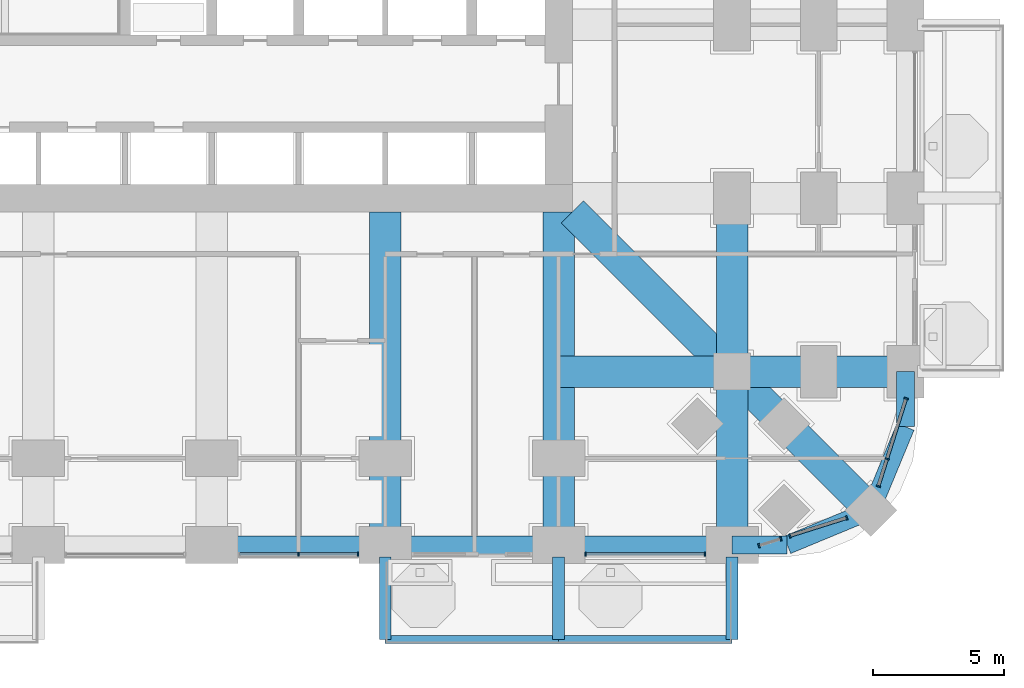
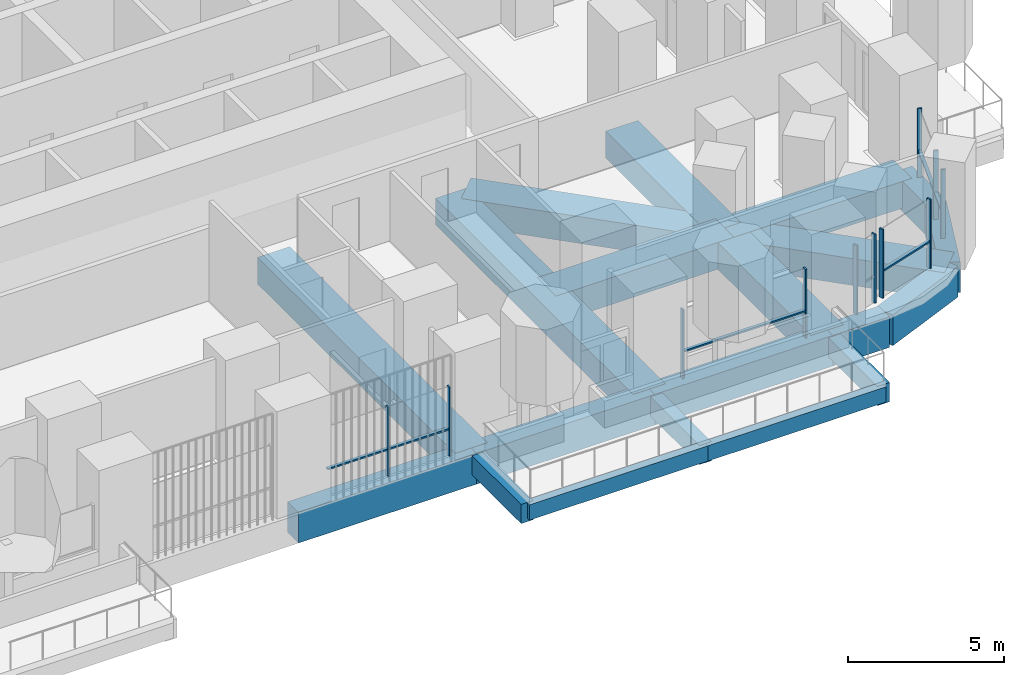
# One storey, part 5 of 25: 20 beams, 17 members, 5 elements without a shape of their own.
"""IFC4 building model written with IfcOpenShell, lengths in metres."""

import ifcopenshell
import ifcopenshell.guid

model = None  # the IFC model being written
_history = None  # IfcOwnerHistory: only IFC2X3 demands one
_inside = {}  # id of a spatial element -> (the spatial element, [elements in it])
_under = {}  # id of a project, library or spatial element -> (it, [spatial elements below it])
_declared = {}  # id of a project -> (the project, [libraries it declares])
_typed = {}  # id of a type object -> (the type object, [elements of that type])
_made_of = {}  # id of a material, layer set ... -> (it, [elements and type objects made of it])


def new_model(schema):
    """Start an empty IFC model of exactly this schema.

    Asked for "IFC4X3", IfcOpenShell would pick the latest addendum, in which some entities
    have other attributes; the version numbers below select the first issue.
    IFC2X3 requires an IfcOwnerHistory on every rooted entity: one is made here for all.
    """
    global model, _history
    if schema == "IFC4X3":
        model = ifcopenshell.file(schema_version=(4, 3, 0, 0))
    else:
        model = ifcopenshell.file(schema=schema)
    _inside.clear()
    _under.clear()
    _declared.clear()
    _typed.clear()
    _made_of.clear()
    _history = None
    if model.schema == "IFC2X3":
        org = make("IfcOrganization", Name="unknown")
        user = make(
            "IfcPersonAndOrganization",
            ThePerson=make("IfcPerson", FamilyName="unknown"),
            TheOrganization=org,
        )
        app = make(
            "IfcApplication",
            ApplicationDeveloper=org,
            Version="unknown",
            ApplicationFullName="unknown",
            ApplicationIdentifier="unknown",
        )
        _history = make(
            "IfcOwnerHistory",
            OwningUser=user,
            OwningApplication=app,
            ChangeAction="ADDED",
            CreationDate=0,
        )
    return model


def make(cls, **values):
    """One entity of the class cls with the attributes given. An attribute that is None is left unset."""
    return model.create_entity(
        cls, **{name: value for name, value in values.items() if value is not None}
    )


def rooted(cls, **values):
    """An entity with a GlobalId (a new one), such as an element, a storey or a relation."""
    return make(cls, GlobalId=ifcopenshell.guid.new(), OwnerHistory=_history, **values)


def si_unit(unit_type, name, prefix=None):
    """IfcSIUnit, for example si_unit("LENGTHUNIT", "METRE", prefix="MILLI")."""
    return make("IfcSIUnit", UnitType=unit_type, Prefix=prefix, Name=name)


def assignment(units):
    """IfcUnitAssignment: the units of a project."""
    return None if units is None else make("IfcUnitAssignment", Units=units)


def point(xyz):
    """IfcCartesianPoint."""
    return None if xyz is None else make("IfcCartesianPoint", Coordinates=xyz)


def direction(xyz):
    """IfcDirection."""
    return None if xyz is None else make("IfcDirection", DirectionRatios=xyz)


def frame(location, z_axis=None, x_axis=None):
    """IfcAxis2Placement3D, a coordinate frame: its origin and axes. An axis left out is left unset."""
    return make(
        "IfcAxis2Placement3D",
        Location=point(location),
        Axis=direction(z_axis),
        RefDirection=direction(x_axis),
    )


def frame_2d(location, x_axis=None):
    """IfcAxis2Placement2D, a coordinate frame in the plane: its origin and x axis."""
    return make(
        "IfcAxis2Placement2D", Location=point(location), RefDirection=direction(x_axis)
    )


def origin():
    """The frame at (0, 0, 0) with its axes left unset."""
    return frame((0.0, 0.0, 0.0))


def origin_2d():
    """The frame at (0, 0) in the plane with its x axis left unset."""
    return frame_2d((0.0, 0.0))


def place(relative_to, where):
    """IfcLocalPlacement: puts the frame where relative to a parent placement (None: the world)."""
    return make(
        "IfcLocalPlacement", PlacementRelTo=relative_to, RelativePlacement=where
    )


def context(
    kind, dimensions, precision=None, world=None, true_north=None, identifier=None
):
    """IfcGeometricRepresentationContext, for example the 3D "Model" context."""
    return make(
        "IfcGeometricRepresentationContext",
        ContextIdentifier=identifier,
        ContextType=kind,
        CoordinateSpaceDimension=dimensions,
        Precision=precision,
        WorldCoordinateSystem=world,
        TrueNorth=true_north,
    )


def subcontext(parent, identifier, kind, view, scale=None):
    """IfcGeometricRepresentationSubContext, for example "Body" below "Model"."""
    return make(
        "IfcGeometricRepresentationSubContext",
        ContextIdentifier=identifier,
        ContextType=kind,
        ParentContext=parent,
        TargetScale=scale,
        TargetView=view,
    )


def project(units=None, contexts=None):
    """IfcProject with its units and contexts."""
    return rooted(
        "IfcProject",
        Name="project",
        RepresentationContexts=contexts,
        UnitsInContext=assignment(units),
    )


def spatial(cls, under=None, at=None, **own):
    """A site, building, storey or space (cls), placed at a placement, below another one or the project."""
    s = rooted(cls, ObjectPlacement=at, **own)
    if under is not None:
        _under.setdefault(under.id(), (under, []))[1].append(s)
    return s


def profile(cls, at=None, kind="AREA", **sizes):
    """A parametric profile (cls). Its sizes go by their IFC names, for example OverallWidth=200.0."""
    return make(cls, ProfileType=kind, Position=at, **sizes)


def rectangle(**sizes):
    """IfcRectangleProfileDef."""
    return profile("IfcRectangleProfileDef", **sizes)


def extrude(swept, where, along, depth):
    """IfcExtrudedAreaSolid: the profile swept, set in the frame where, extruded along a direction by depth."""
    return make(
        "IfcExtrudedAreaSolid",
        SweptArea=swept,
        Position=where,
        ExtrudedDirection=direction(along),
        Depth=depth,
    )


def shape(context_of_items, identifier, shape_type, items):
    """IfcShapeRepresentation: the items that make up one representation, for example the "Body"."""
    return make(
        "IfcShapeRepresentation",
        ContextOfItems=context_of_items,
        RepresentationIdentifier=identifier,
        RepresentationType=shape_type,
        Items=items,
    )


def material(Name=None, Category=None):
    """IfcMaterial."""
    return make("IfcMaterial", Name=Name, Category=Category)


def material_profile(
    of_material, cross_section, Name=None, Category=None, Priority=None
):
    """IfcMaterialProfile: a cross section and its material."""
    return make(
        "IfcMaterialProfile",
        Name=Name,
        Material=of_material,
        Profile=cross_section,
        Priority=Priority,
        Category=Category,
    )


def profile_set(profiles, Name=None, composite=None):
    """IfcMaterialProfileSet."""
    return make(
        "IfcMaterialProfileSet",
        Name=Name,
        MaterialProfiles=profiles,
        CompositeProfile=composite,
    )


def made_of(thing, what):
    """Note that an element or type object is made of a material, layer set ...; save() writes the relation."""
    if what is not None:
        _made_of.setdefault(what.id(), (what, []))[1].append(thing)
    return thing


def type_object(cls, material=None, **own):
    """A type object (cls), such as IfcWallType, which elements share."""
    return made_of(rooted(cls, **own), material)


def element(
    cls,
    number,
    at=None,
    inside=None,
    cuts=None,
    type_object=None,
    material=None,
    context=None,
    identifier="Body",
    shape_type=None,
    held_by="IfcProductDefinitionShape",
    body=None,
    shapes=None,
    **own,
):
    """One element of the class cls, such as IfcWall. Its Tag is "e" and its number.

    at: its placement. inside: the storey or other place that contains it. cuts: it is an
    opening in that element (IfcRelVoidsElement). A single representation is given by context,
    identifier, shape_type and body (its items); several are given by shapes. held_by: the class
    of the entity that holds the representations. save() writes the other relations.
    """
    e = rooted(cls, Tag="e%d" % number, ObjectPlacement=at, **own)
    if body is not None:
        shapes = [shape(context, identifier, shape_type, body)]
    if shapes is not None:
        e.Representation = make(held_by, Representations=shapes)
    if inside is not None:
        _inside.setdefault(inside.id(), (inside, []))[1].append(e)
    if cuts is not None:
        rooted(
            "IfcRelVoidsElement", RelatingBuildingElement=cuts, RelatedOpeningElement=e
        )
    if type_object is not None:
        _typed.setdefault(type_object.id(), (type_object, []))[1].append(e)
    return made_of(e, material)


def aggregate(whole, parts):
    """IfcRelAggregates: a whole, such as a stair, and the parts it consists of."""
    return rooted("IfcRelAggregates", RelatingObject=whole, RelatedObjects=parts)


def save(model, path):
    """Write the relations noted so far, then the file.

    IfcRelAggregates (storeys below a building ...), IfcRelContainedInSpatialStructure (elements
    in a storey), IfcRelDefinesByType, IfcRelAssociatesMaterial and IfcRelDeclares: one each for
    every whole, place, type object, material and project.
    """
    for whole, parts in _under.values():
        aggregate(whole, parts)
    for where, things in _inside.values():
        rooted(
            "IfcRelContainedInSpatialStructure",
            RelatedElements=things,
            RelatingStructure=where,
        )
    for kind, things in _typed.values():
        rooted("IfcRelDefinesByType", RelatedObjects=things, RelatingType=kind)
    for what, things in _made_of.values():
        rooted("IfcRelAssociatesMaterial", RelatedObjects=things, RelatingMaterial=what)
    for by, libraries in _declared.values():
        rooted("IfcRelDeclares", RelatingContext=by, RelatedDefinitions=libraries)
    model.write(path)


model = new_model("IFC4")

# Units and contexts
model_context = context("Model", 3, precision=1e-05, world=origin(), true_north=direction((0.0, 1.0)))
body_context = subcontext(model_context, "Body", "Model", "MODEL_VIEW")
ifc_project = project(units=[si_unit("LENGTHUNIT", "METRE"), si_unit("AREAUNIT", "SQUARE_METRE"), si_unit("VOLUMEUNIT", "CUBIC_METRE"), si_unit("PLANEANGLEUNIT", "RADIAN"), si_unit("MASSUNIT", "GRAM", prefix="KILO")], contexts=[model_context])

# Site, building, storey
site_placement = place(None, origin())
site = spatial("IfcSite", under=ifc_project, at=site_placement, CompositionType="ELEMENT")
building_placement = place(site_placement, origin())
building = spatial("IfcBuilding", under=site, at=building_placement, Name="Cobogo Forest Laboratory Tower", CompositionType="ELEMENT")
storey_placement = place(building_placement, frame((0.0, 0.0, 21.300048828125)))
storey = spatial("IfcBuildingStorey", under=building, at=storey_placement, Name="L04", CompositionType="ELEMENT", Elevation=21.300048828125)

# Beams
ifc_material_1 = material(Name="Concrete HA-40 (C40/50)", Category="concrete")
ifc_material_profile_1 = material_profile(ifc_material_1, rectangle(XDim=0.449951171875, YDim=0.75, at=origin_2d()), Name="RC 450x750")
ifc_profile_set_1 = profile_set([ifc_material_profile_1], Name="Concrete HA-40 (C40/50)")
beam_type_1 = type_object("IfcBeamType", Name="Balcony cantilever beam 450x750", PredefinedType="BEAM", material=ifc_profile_set_1)
for number, where, z_axis, x_axis, name in (
    (1, (33.0, -0.449951171875, -0.625), (0.0, -1.0, 0.0), (1.0, 0.0, 0.0), "CB1 BAL-S2-C1 L04"),
    (2, (39.60009765625, -0.449951171875, -0.625), (0.0, -1.0, 0.0), (1.0, 0.0, 0.0), "CB1 BAL-S2-C2 L04"),
    (3, (46.199951171875, -0.449951171875, -0.625), (0.0, -1.0, 0.0), (1.0, 0.0, 0.0), "CB1 BAL-S2-C3 L04"),
):
    element("IfcBeam", number, at=place(storey_placement, frame(where, z_axis=z_axis, x_axis=x_axis)), inside=storey, type_object=beam_type_1, Name=name, PredefinedType="BEAM", context=body_context, shape_type="SweptSolid", body=[
        extrude(rectangle(XDim=0.449951171875, YDim=0.75, at=origin_2d()), origin(), (0.0, 0.0, 1.0), 3.150146484375),
    ])
ifc_material_profile_2 = material_profile(ifc_material_1, rectangle(XDim=0.300048828125, YDim=0.60009765625, at=origin_2d()), Name="RC 300x600")
ifc_profile_set_2 = profile_set([ifc_material_profile_2], Name="Concrete HA-40 (C40/50)")
beam_type_2 = type_object("IfcBeamType", Name="Balcony edge beam 300x600", PredefinedType="BEAM", material=ifc_profile_set_2)
beam_1_placement = place(storey_placement, frame((33.0, -3.60009765625, -0.550048828125), z_axis=(1.0, 0.0, 0.0), x_axis=(0.0, 1.0, 0.0)))
element("IfcBeam", 4, at=beam_1_placement, inside=storey, type_object=beam_type_2, Name="BB1 BAL-S2-T1 L04", PredefinedType="BEAM", context=body_context, shape_type="SweptSolid", body=[
    extrude(rectangle(XDim=0.300048828125, YDim=0.60009765625, at=origin_2d()), origin(), (0.0, 0.0, 1.0), 6.60009765625),
])
beam_2_placement = place(storey_placement, frame((39.60009765625, -3.60009765625, -0.550048828125), z_axis=(1.0, 0.0, 0.0), x_axis=(0.0, 1.0, 0.0)))
element("IfcBeam", 5, at=beam_2_placement, inside=storey, type_object=beam_type_2, Name="BB1 BAL-S2-T2 L04", PredefinedType="BEAM", context=body_context, shape_type="SweptSolid", body=[
    extrude(rectangle(XDim=0.300048828125, YDim=0.60009765625, at=origin_2d()), origin(), (0.0, 0.0, 1.0), 6.599853515625),
])
ifc_material_profile_3 = material_profile(ifc_material_1, rectangle(XDim=1.199951171875, YDim=1.050048828125, at=origin_2d()), Name="RC 1200x1050")
ifc_profile_set_3 = profile_set([ifc_material_profile_3], Name="Concrete HA-40 (C40/50)")
beam_type_3 = type_object("IfcBeamType", Name="Laboratory floor wide beam 1200x1050", PredefinedType="BEAM", material=ifc_profile_set_3)
for number, where, z_axis, x_axis, name in (
    (6, (33.0, 12.675048828125, -0.824951171875), (0.0, -1.0, 0.0), (1.0, 0.0, 0.0), "RB1 R-6-S L04"),
    (7, (39.60009765625, 12.675048828125, -0.824951171875), (0.0, -1.0, 0.0), (1.0, 0.0, 0.0), "RB1 R-7-S L04"),
):
    element("IfcBeam", number, at=place(storey_placement, frame(where, z_axis=z_axis, x_axis=x_axis)), inside=storey, type_object=beam_type_3, Name=name, PredefinedType="BEAM", context=body_context, shape_type="SweptSolid", body=[
        extrude(rectangle(XDim=1.199951171875, YDim=1.050048828125, at=origin_2d()), origin(), (0.0, 0.0, 1.0), 12.675048828125),
    ])
beam_3_placement = place(storey_placement, frame((46.199951171875, 0.0, -0.824951171875), z_axis=(0.0, 1.0, 0.0), x_axis=(-1.0, 0.0, 0.0)))
element("IfcBeam", 8, at=beam_3_placement, inside=storey, type_object=beam_type_3, Name="RB1 G-SE-XF L04", PredefinedType="BEAM", context=body_context, shape_type="SweptSolid", body=[
    extrude(rectangle(XDim=1.199951171875, YDim=1.050048828125, at=origin_2d()), origin(), (0.0, 0.0, 1.0), 6.60009765625),
])
beam_4_placement = place(storey_placement, frame((46.199951171875, 6.60009765625, -0.824951171875), z_axis=(0.0, 1.0, 0.0), x_axis=(-1.0, 0.0, 0.0)))
element("IfcBeam", 9, at=beam_4_placement, inside=storey, type_object=beam_type_3, Name="RB1 G-SE-XC L04", PredefinedType="BEAM", context=body_context, shape_type="SweptSolid", body=[
    extrude(rectangle(XDim=1.199951171875, YDim=1.050048828125, at=origin_2d()), origin(), (0.0, 0.0, 1.0), 6.599853515625),
])
beam_5_placement = place(storey_placement, frame((52.800048828125, 6.60009765625, -0.824951171875), z_axis=(-1.0, 0.0, 0.0), x_axis=(0.0, -1.0, 0.0)))
element("IfcBeam", 10, at=beam_5_placement, inside=storey, type_object=beam_type_3, Name="RB1 G-SE-YF L04", PredefinedType="BEAM", context=body_context, shape_type="SweptSolid", body=[
    extrude(rectangle(XDim=1.199951171875, YDim=1.050048828125, at=origin_2d()), origin(), (0.0, 0.0, 1.0), 6.60009765625),
])
beam_6_placement = place(storey_placement, frame((46.199951171875, 6.60009765625, -0.824951171875), z_axis=(-1.0, 0.0, 0.0), x_axis=(0.0, -1.0, 0.0)))
element("IfcBeam", 11, at=beam_6_placement, inside=storey, type_object=beam_type_3, Name="RB1 G-SE-YC L04", PredefinedType="BEAM", context=body_context, shape_type="SweptSolid", body=[
    extrude(rectangle(XDim=1.199951171875, YDim=1.050048828125, at=origin_2d()), origin(), (0.0, 0.0, 1.0), 6.599853515625),
])
beam_7_placement = place(storey_placement, frame((51.48193359375, 1.318115234375, -0.824951171875), z_axis=(-0.707106781187, 0.707106781187, 0.0), x_axis=(-0.707106781187, -0.707106781187, 0.0)))
element("IfcBeam", 12, at=beam_7_placement, inside=storey, type_object=beam_type_3, Name="RB1 G-SE-D1 L04", PredefinedType="BEAM", context=body_context, shape_type="SweptSolid", body=[
    extrude(rectangle(XDim=1.199951171875, YDim=1.050048828125, at=origin_2d()), origin(), (0.0, 0.0, 1.0), 7.469970703125),
])
beam_8_placement = place(storey_placement, frame((46.199951171875, 6.60009765625, -0.824951171875), z_axis=(-0.707106781187, 0.707106781187, 0.0), x_axis=(-0.707106781187, -0.707106781187, 0.0)))
element("IfcBeam", 13, at=beam_8_placement, inside=storey, type_object=beam_type_3, Name="RB1 G-SE-D2 L04", PredefinedType="BEAM", context=body_context, shape_type="SweptSolid", body=[
    extrude(rectangle(XDim=1.199951171875, YDim=1.050048828125, at=origin_2d()), origin(), (0.0, 0.0, 1.0), 8.59130859375),
])

# Curtain wall, members
ifc_material_2 = material(Name="Aluminium curtain wall", Category="aluminium")
curtain_wall_type = type_object("IfcCurtainWallType", Name="CW-1 unitised curtain wall, clear glazing, laboratory floors zones A and B", PredefinedType="USERDEFINED", material=ifc_material_2)
curtain_wall_1_placement = place(storey_placement, origin())
curtain_wall_1 = element("IfcCurtainWall", 14, at=curtain_wall_1_placement, inside=storey, type_object=curtain_wall_type, Name="Curtain wall 04 L04", ObjectType="UNITISED CURTAIN WALL", PredefinedType="USERDEFINED")
ifc_material_3 = material(Name="Aluminium mullion", Category="aluminium")
ifc_material_profile_4 = material_profile(ifc_material_3, rectangle(XDim=0.06005859375, YDim=0.159912109375, at=origin_2d()), Name="AL 60x160")
ifc_profile_set_4 = profile_set([ifc_material_profile_4], Name="Aluminium mullion")
member_type_1 = type_object("IfcMemberType", Name="MU-1 aluminium mullion 60x160", PredefinedType="MULLION", material=ifc_profile_set_4)
member_1_placement = place(storey_placement, frame((29.699951171875, -0.35009765625, 0.0), z_axis=(0.0, 0.0, 1.0), x_axis=(1.0, 0.0, 0.0)))
member_1 = element("IfcMember", 15, at=member_1_placement, type_object=member_type_1, Name="CW-1 mullion 2", PredefinedType="MULLION", context=body_context, shape_type="SweptSolid", body=[
    extrude(rectangle(XDim=0.06005859375, YDim=0.159912109375, at=origin_2d()), origin(), (0.0, 0.0, 1.0), 2.699951171875),
])
member_2_placement = place(storey_placement, frame((31.969970703125, -0.35009765625, 0.0), z_axis=(0.0, 0.0, 1.0), x_axis=(1.0, 0.0, 0.0)))
member_2 = element("IfcMember", 16, at=member_2_placement, type_object=member_type_1, Name="CW-1 mullion 3", PredefinedType="MULLION", context=body_context, shape_type="SweptSolid", body=[
    extrude(rectangle(XDim=0.06005859375, YDim=0.159912109375, at=origin_2d()), origin(), (0.0, 0.0, 1.0), 2.699951171875),
])

curtain_wall_2_placement = place(storey_placement, origin())
curtain_wall_2 = element("IfcCurtainWall", 17, at=curtain_wall_2_placement, inside=storey, type_object=curtain_wall_type, Name="Curtain wall 06 L04", ObjectType="UNITISED CURTAIN WALL", PredefinedType="USERDEFINED")
member_3_placement = place(storey_placement, frame((40.6298828125, -0.35009765625, 0.0), z_axis=(0.0, 0.0, 1.0), x_axis=(1.0, 0.0, 0.0)))
member_3 = element("IfcMember", 18, at=member_3_placement, type_object=member_type_1, Name="CW-1 mullion 1", PredefinedType="MULLION", context=body_context, shape_type="SweptSolid", body=[
    extrude(rectangle(XDim=0.06005859375, YDim=0.159912109375, at=origin_2d()), origin(), (0.0, 0.0, 1.0), 2.699951171875),
])
member_4_placement = place(storey_placement, frame((45.169921875, -0.35009765625, 0.0), z_axis=(0.0, 0.0, 1.0), x_axis=(1.0, 0.0, 0.0)))
member_4 = element("IfcMember", 19, at=member_4_placement, type_object=member_type_1, Name="CW-1 mullion 2", PredefinedType="MULLION", context=body_context, shape_type="SweptSolid", body=[
    extrude(rectangle(XDim=0.06005859375, YDim=0.159912109375, at=origin_2d()), origin(), (0.0, 0.0, 1.0), 2.699951171875),
])

curtain_wall_3_placement = place(storey_placement, origin())
curtain_wall_3 = element("IfcCurtainWall", 20, at=curtain_wall_3_placement, inside=storey, type_object=curtain_wall_type, Name="Curtain wall 07 L04", ObjectType="UNITISED CURTAIN WALL", PredefinedType="USERDEFINED")
member_5_placement = place(storey_placement, frame((47.228515625, -0.025146484375, 0.0), z_axis=(0.0, 0.0, 1.0), x_axis=(0.953581406818, 0.301135352577, 0.0)))
member_5 = element("IfcMember", 21, at=member_5_placement, type_object=member_type_1, Name="CW-1 mullion 1", PredefinedType="MULLION", context=body_context, shape_type="SweptSolid", body=[
    extrude(rectangle(XDim=0.06005859375, YDim=0.159912109375, at=origin_2d()), origin(), (0.0, 0.0, 1.0), 2.699951171875),
])
member_6_placement = place(storey_placement, frame((48.05322265625, 0.2353515625, 0.0), z_axis=(0.0, 0.0, 1.0), x_axis=(0.953581406818, 0.301135352577, 0.0)))
member_6 = element("IfcMember", 22, at=member_6_placement, type_object=member_type_1, Name="CW-1 mullion 2", PredefinedType="MULLION", context=body_context, shape_type="SweptSolid", body=[
    extrude(rectangle(XDim=0.06005859375, YDim=0.159912109375, at=origin_2d()), origin(), (0.0, 0.0, 1.0), 2.699951171875),
])
aggregate(curtain_wall_3, [member_5, member_6])

curtain_wall_4_placement = place(storey_placement, origin())
curtain_wall_4 = element("IfcCurtainWall", 23, at=curtain_wall_4_placement, inside=storey, type_object=curtain_wall_type, Name="Curtain wall 08 L04", ObjectType="UNITISED CURTAIN WALL", PredefinedType="USERDEFINED")
member_7_placement = place(storey_placement, frame((48.403076171875, 0.345703125, 0.0), z_axis=(0.0, 0.0, 1.0), x_axis=(0.953581409645, 0.301135343623, 0.0)))
member_7 = element("IfcMember", 24, at=member_7_placement, type_object=member_type_1, Name="CW-1 mullion 1", PredefinedType="MULLION", context=body_context, shape_type="SweptSolid", body=[
    extrude(rectangle(XDim=0.06005859375, YDim=0.159912109375, at=origin_2d()), origin(), (0.0, 0.0, 1.0), 2.699951171875),
])
member_8_placement = place(storey_placement, frame((50.561279296875, 1.02734375, 0.0), z_axis=(0.0, 0.0, 1.0), x_axis=(0.953581409645, 0.301135343623, 0.0)))
member_8 = element("IfcMember", 25, at=member_8_placement, type_object=member_type_1, Name="CW-1 mullion 2", PredefinedType="MULLION", context=body_context, shape_type="SweptSolid", body=[
    extrude(rectangle(XDim=0.06005859375, YDim=0.159912109375, at=origin_2d()), origin(), (0.0, 0.0, 1.0), 2.699951171875),
])

curtain_wall_5_placement = place(storey_placement, origin())
curtain_wall_5 = element("IfcCurtainWall", 26, at=curtain_wall_5_placement, inside=storey, type_object=curtain_wall_type, Name="Curtain wall 09 L04", ObjectType="UNITISED CURTAIN WALL", PredefinedType="USERDEFINED")
member_9_placement = place(storey_placement, frame((51.772705078125, 2.23876953125, 0.0), z_axis=(0.0, 0.0, 1.0), x_axis=(0.301135433696, 0.953581381201, 0.0)))
member_9 = element("IfcMember", 27, at=member_9_placement, type_object=member_type_1, Name="CW-1 mullion 1", PredefinedType="MULLION", context=body_context, shape_type="SweptSolid", body=[
    extrude(rectangle(XDim=0.06005859375, YDim=0.159912109375, at=origin_2d()), origin(), (0.0, 0.0, 1.0), 2.699951171875),
])
member_10_placement = place(storey_placement, frame((52.100341796875, 3.27587890625, 0.0), z_axis=(0.0, 0.0, 1.0), x_axis=(0.301135433696, 0.953581381201, 0.0)))
member_10 = element("IfcMember", 28, at=member_10_placement, type_object=member_type_1, Name="CW-1 mullion 2", PredefinedType="MULLION", context=body_context, shape_type="SweptSolid", body=[
    extrude(rectangle(XDim=0.06005859375, YDim=0.159912109375, at=origin_2d()), origin(), (0.0, 0.0, 1.0), 2.699951171875),
])
member_11_placement = place(storey_placement, frame((52.8251953125, 5.5712890625, 0.0), z_axis=(0.0, 0.0, 1.0), x_axis=(0.301135433696, 0.953581381201, 0.0)))
member_11 = element("IfcMember", 29, at=member_11_placement, type_object=member_type_1, Name="CW-1 mullion 3", PredefinedType="MULLION", context=body_context, shape_type="SweptSolid", body=[
    extrude(rectangle(XDim=0.06005859375, YDim=0.159912109375, at=origin_2d()), origin(), (0.0, 0.0, 1.0), 2.699951171875),
])

# Beams
ifc_material_profile_5 = material_profile(ifc_material_1, rectangle(XDim=0.699951171875, YDim=1.199951171875, at=origin_2d()), Name="RC 700x1200")
ifc_profile_set_5 = profile_set([ifc_material_profile_5], Name="Concrete HA-40 (C40/50)")
beam_type_4 = type_object("IfcBeamType", Name="Perimeter edge beam 700x1200", PredefinedType="BEAM", material=ifc_profile_set_5)
for number, where, z_axis, x_axis, name in (
    (30, (26.39990234375, 0.0, -0.900146484375), (1.0, 0.0, 0.0), (0.0, 1.0, 0.0), "EB1 E-S4 L04"),
    (31, (33.0, 0.0, -0.900146484375), (1.0, 0.0, 0.0), (0.0, 1.0, 0.0), "EB1 E-S5 L04"),
):
    element("IfcBeam", number, at=place(storey_placement, frame(where, z_axis=z_axis, x_axis=x_axis)), inside=storey, type_object=beam_type_4, Name=name, PredefinedType="BEAM", context=body_context, shape_type="SweptSolid", body=[
        extrude(rectangle(XDim=0.699951171875, YDim=1.199951171875, at=origin_2d()), origin(), (0.0, 0.0, 1.0), 6.60009765625),
    ])
beam_9_placement = place(storey_placement, frame((39.60009765625, 0.0, -0.900146484375), z_axis=(1.0, 0.0, 0.0), x_axis=(0.0, 1.0, 0.0)))
element("IfcBeam", 32, at=beam_9_placement, inside=storey, type_object=beam_type_4, Name="EB1 E-S6 L04", PredefinedType="BEAM", context=body_context, shape_type="SweptSolid", body=[
    extrude(rectangle(XDim=0.699951171875, YDim=1.199951171875, at=origin_2d()), origin(), (0.0, 0.0, 1.0), 6.599853515625),
])
beam_10_placement = place(storey_placement, frame((46.199951171875, 0.0, -0.900146484375), z_axis=(1.0, 0.0, 0.0), x_axis=(0.0, 1.0, 0.0)))
element("IfcBeam", 33, at=beam_10_placement, inside=storey, type_object=beam_type_4, Name="EB1 E-SES1 L04", PredefinedType="BEAM", context=body_context, shape_type="SweptSolid", body=[
    extrude(rectangle(XDim=0.699951171875, YDim=1.199951171875, at=origin_2d()), origin(), (0.0, 0.0, 1.0), 2.10009765625),
])
beam_11_placement = place(storey_placement, frame((48.300048828125, 0.0, -0.900146484375), z_axis=(0.923865631356, 0.382716990999, 0.0), x_axis=(-0.382716990999, 0.923865631356, 0.0)))
element("IfcBeam", 34, at=beam_11_placement, inside=storey, type_object=beam_type_4, Name="EB1 E-SES2 L04", PredefinedType="BEAM", context=body_context, shape_type="SweptSolid", body=[
    extrude(rectangle(XDim=0.699951171875, YDim=1.199951171875, at=origin_2d()), origin(), (0.0, 0.0, 1.0), 3.444091796875),
])
beam_12_placement = place(storey_placement, frame((52.800048828125, 6.60009765625, -0.900146484375), z_axis=(0.0, -1.0, 0.0), x_axis=(1.0, 0.0, 0.0)))
element("IfcBeam", 35, at=beam_12_placement, inside=storey, type_object=beam_type_4, Name="EB1 E-SEE1 L04", PredefinedType="BEAM", context=body_context, shape_type="SweptSolid", body=[
    extrude(rectangle(XDim=0.699951171875, YDim=1.199951171875, at=origin_2d()), origin(), (0.0, 0.0, 1.0), 2.10009765625),
])
beam_13_placement = place(storey_placement, frame((52.800048828125, 4.5, -0.900146484375), z_axis=(-0.382716990999, -0.923865631356, 0.0), x_axis=(0.923865631356, -0.382716990999, 0.0)))
element("IfcBeam", 36, at=beam_13_placement, inside=storey, type_object=beam_type_4, Name="EB1 E-SEE2 L04", PredefinedType="BEAM", context=body_context, shape_type="SweptSolid", body=[
    extrude(rectangle(XDim=0.699951171875, YDim=1.199951171875, at=origin_2d()), origin(), (0.0, 0.0, 1.0), 3.444091796875),
])

# Member
ifc_material_4 = material(Name="Aluminium transom", Category="aluminium")
ifc_material_profile_6 = material_profile(ifc_material_4, rectangle(XDim=0.1201171875, YDim=0.06005859375, at=origin_2d()), Name="AL 60x120")
ifc_profile_set_6 = profile_set([ifc_material_profile_6], Name="Aluminium transom")
member_type_2 = type_object("IfcMemberType", Name="TR-1 aluminium transom 60x120", PredefinedType="USERDEFINED", material=ifc_profile_set_6)
member_12_placement = place(storey_placement, frame((27.4599609375, -0.35009765625, 1.050048828125), z_axis=(1.0, 0.0, 0.0), x_axis=(0.0, 1.0, 0.0)))
member_12 = element("IfcMember", 37, at=member_12_placement, type_object=member_type_2, Name="CW-1 transom 1.1", ObjectType="TRANSOM", PredefinedType="USERDEFINED", context=body_context, shape_type="SweptSolid", body=[
    extrude(rectangle(XDim=0.1201171875, YDim=0.06005859375, at=origin_2d()), origin(), (0.0, 0.0, 1.0), 2.2099609375),
])

member_13_placement = place(storey_placement, frame((29.72998046875, -0.35009765625, 1.050048828125), z_axis=(1.0, 0.0, 0.0), x_axis=(0.0, 1.0, 0.0)))
member_13 = element("IfcMember", 38, at=member_13_placement, type_object=member_type_2, Name="CW-1 transom 2.1", ObjectType="TRANSOM", PredefinedType="USERDEFINED", context=body_context, shape_type="SweptSolid", body=[
    extrude(rectangle(XDim=0.1201171875, YDim=0.06005859375, at=origin_2d()), origin(), (0.0, 0.0, 1.0), 2.2099609375),
])

aggregate(curtain_wall_1, [member_1, member_2, member_12, member_13])

member_14_placement = place(storey_placement, frame((40.659912109375, -0.35009765625, 1.050048828125), z_axis=(1.0, 0.0, 0.0), x_axis=(0.0, 1.0, 0.0)))
member_14 = element("IfcMember", 39, at=member_14_placement, type_object=member_type_2, Name="CW-1 transom 1.1", ObjectType="TRANSOM", PredefinedType="USERDEFINED", context=body_context, shape_type="SweptSolid", body=[
    extrude(rectangle(XDim=0.1201171875, YDim=0.06005859375, at=origin_2d()), origin(), (0.0, 0.0, 1.0), 4.47998046875),
])

aggregate(curtain_wall_2, [member_3, member_4, member_14])

member_15_placement = place(storey_placement, frame((48.431640625, 0.354736328125, 1.050048828125), z_axis=(0.953572616955, 0.301163185322, 0.0), x_axis=(-0.301163185322, 0.953572616955, 0.0)))
member_15 = element("IfcMember", 40, at=member_15_placement, type_object=member_type_2, Name="CW-1 transom 1.1", ObjectType="TRANSOM", PredefinedType="USERDEFINED", context=body_context, shape_type="SweptSolid", body=[
    extrude(rectangle(XDim=0.1201171875, YDim=0.06005859375, at=origin_2d()), origin(), (0.0, 0.0, 1.0), 2.203369140625),
])

aggregate(curtain_wall_4, [member_7, member_8, member_15])

member_16_placement = place(storey_placement, frame((51.78173828125, 2.267333984375, 1.050048828125), z_axis=(0.301222320394, 0.953553938535, 0.0), x_axis=(-0.953553938535, 0.301222320394, 0.0)))
member_16 = element("IfcMember", 41, at=member_16_placement, type_object=member_type_2, Name="CW-1 transom 1.1", ObjectType="TRANSOM", PredefinedType="USERDEFINED", context=body_context, shape_type="SweptSolid", body=[
    extrude(rectangle(XDim=0.1201171875, YDim=0.06005859375, at=origin_2d()), origin(), (0.0, 0.0, 1.0), 1.02783203125),
])

member_17_placement = place(storey_placement, frame((52.109375, 3.304443359375, 1.050048828125), z_axis=(0.301116434103, 0.953587380953, 0.0), x_axis=(-0.953587380953, 0.301116434103, 0.0)))
member_17 = element("IfcMember", 42, at=member_17_placement, type_object=member_type_2, Name="CW-1 transom 2.1", ObjectType="TRANSOM", PredefinedType="USERDEFINED", context=body_context, shape_type="SweptSolid", body=[
    extrude(rectangle(XDim=0.1201171875, YDim=0.06005859375, at=origin_2d()), origin(), (0.0, 0.0, 1.0), 2.34716796875),
])

aggregate(curtain_wall_5, [member_9, member_10, member_11, member_16, member_17])

save(model, "model.ifc")
